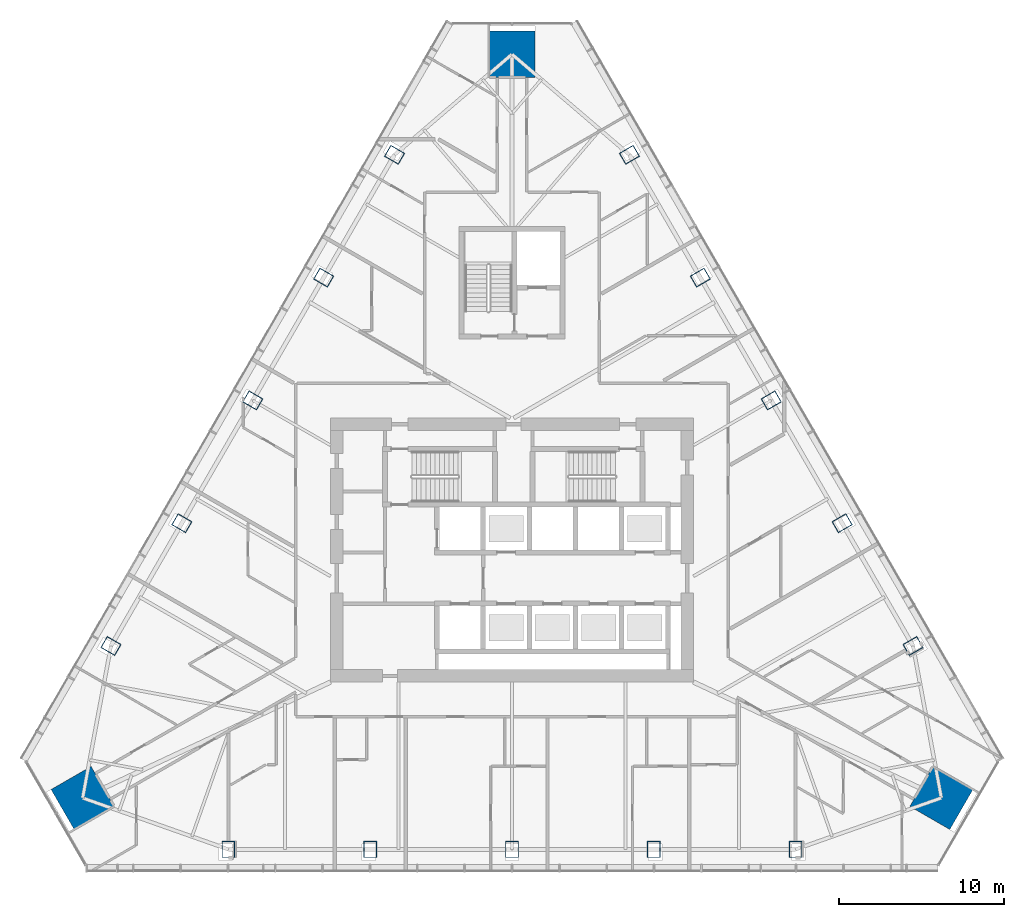
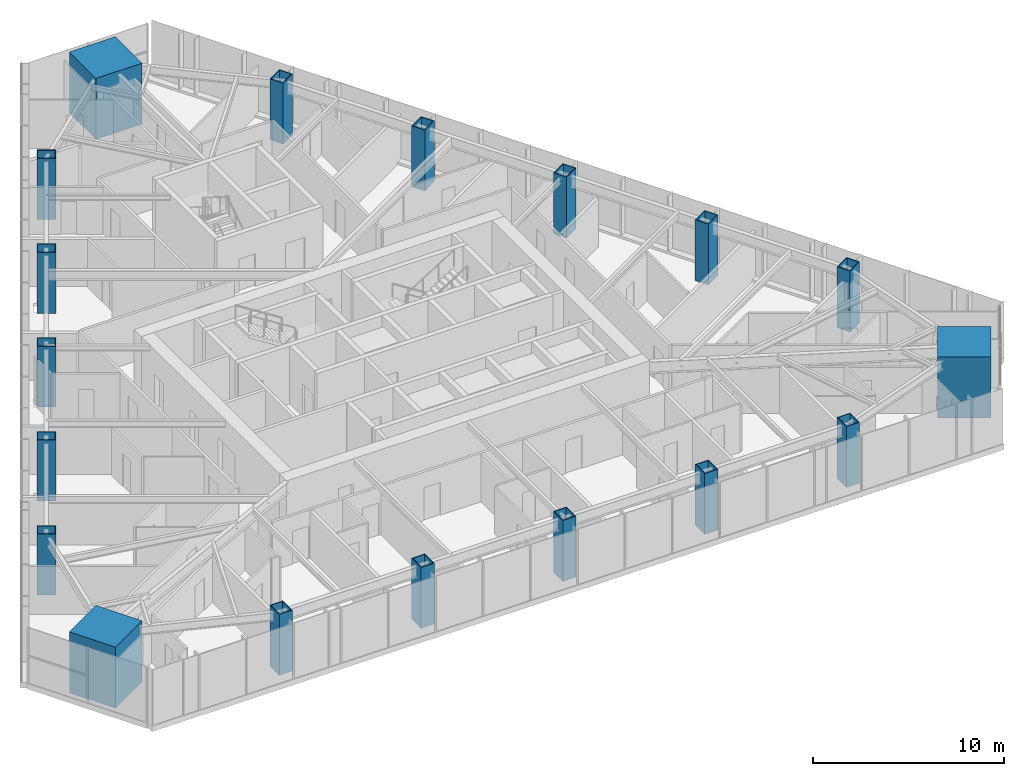
# One storey, part 1 of 16: 18 columns.
"""IFC4 building model written with IfcOpenShell, lengths in metres."""

from ifc_helpers import new_model, si_unit, direction, frame, origin, origin_2d, place, context, subcontext, project, spatial, rectangle, hollow_rectangle, extrude, material, material_profile, profile_set, type_object, element, save


model = new_model("IFC4")

# Units and contexts
model_context = context("Model", 3, precision=1e-05, world=origin(), true_north=direction((0.0, 1.0)))
body_context = subcontext(model_context, "Body", "Model", "MODEL_VIEW")
ifc_project = project(units=[si_unit("LENGTHUNIT", "METRE"), si_unit("AREAUNIT", "SQUARE_METRE"), si_unit("VOLUMEUNIT", "CUBIC_METRE"), si_unit("PLANEANGLEUNIT", "RADIAN"), si_unit("MASSUNIT", "GRAM", prefix="KILO")], contexts=[model_context])

# Site, building, storey
site_placement = place(None, origin())
site = spatial("IfcSite", under=ifc_project, at=site_placement, CompositionType="ELEMENT")
building_placement = place(site_placement, origin())
building = spatial("IfcBuilding", under=site, at=building_placement, Name="Firuza Gate Tower and Library", CompositionType="ELEMENT")
storey_placement = place(building_placement, frame((0.0, 0.0, 198.699951171875)))
storey = spatial("IfcBuildingStorey", under=building, at=storey_placement, Name="L46", CompositionType="ELEMENT", Elevation=198.699951171875)

# Columns
ifc_material_1 = material(Name="Steel S355", Category="steel")
ifc_material_profile_1 = material_profile(ifc_material_1, hollow_rectangle(XDim=0.800048828125, YDim=1.0, WallThickness=0.050048828125, at=origin_2d()))
ifc_profile_set_1 = profile_set([ifc_material_profile_1], Name="Steel S355")
column_type_1 = type_object("IfcColumnType", Name="BU1000x800x50 Composite box column", PredefinedType="COLUMN", material=ifc_profile_set_1)
for number, where, z_axis, x_axis, name in (
    (1, (57.8125, 56.8583984375, -0.000244140625), (0.0, 0.0, 1.0), (1.0, 0.0, 0.0), "Column S1 L46"),
    (2, (66.40625, 56.8583984375, -0.000244140625), (0.0, 0.0, 1.0), (1.0, 0.0, 0.0), "Column S2 L46"),
    (3, (75.0, 56.8583984375, -0.000244140625), (0.0, 0.0, 1.0), (1.0, 0.0, 0.0), "Column S3 L46"),
    (4, (83.59375, 56.8583984375, -0.000244140625), (0.0, 0.0, 1.0), (1.0, 0.0, 0.0), "Column S4 L46"),
    (5, (92.1875, 56.8583984375, -0.000244140625), (0.0, 0.0, 1.0), (1.0, 0.0, 0.0), "Column S5 L46"),
    (6, (99.304931640625, 69.18603515625, -0.000244140625), (0.0, 0.0, 1.0), (-0.5, 0.866025403784, 0.0), "Column E1 L46"),
    (7, (95.008056640625, 76.62841796875, -0.000244140625), (0.0, 0.0, 1.0), (-0.5, 0.866025403784, 0.0), "Column E2 L46"),
    (8, (90.711181640625, 84.07080078125, -0.000244140625), (0.0, 0.0, 1.0), (-0.5, 0.866025403784, 0.0), "Column E3 L46"),
    (9, (86.414306640625, 91.51318359375, -0.000244140625), (0.0, 0.0, 1.0), (-0.5, 0.866025403784, 0.0), "Column E4 L46"),
    (10, (82.117431640625, 98.95556640625, -0.000244140625), (0.0, 0.0, 1.0), (-0.5, 0.866025403784, 0.0), "Column E5 L46"),
    (11, (67.882568359375, 98.95556640625, -0.000244140625), (0.0, 0.0, 1.0), (-0.5, -0.866025403784, 0.0), "Column W1 L46"),
    (12, (63.585693359375, 91.51318359375, -0.000244140625), (0.0, 0.0, 1.0), (-0.5, -0.866025403784, 0.0), "Column W2 L46"),
    (13, (59.288818359375, 84.07080078125, -0.000244140625), (0.0, 0.0, 1.0), (-0.5, -0.866025403784, 0.0), "Column W3 L46"),
    (14, (54.991943359375, 76.62841796875, -0.000244140625), (0.0, 0.0, 1.0), (-0.5, -0.866025403784, 0.0), "Column W4 L46"),
    (15, (50.695068359375, 69.18603515625, -0.000244140625), (0.0, 0.0, 1.0), (-0.5, -0.866025403784, 0.0), "Column W5 L46"),
):
    element("IfcColumn", number, at=place(storey_placement, frame(where, z_axis=z_axis, x_axis=x_axis)), inside=storey, type_object=column_type_1, Name=name, PredefinedType="COLUMN", context=body_context, shape_type="SweptSolid", body=[
        extrude(hollow_rectangle(XDim=0.800048828125, YDim=1.0, WallThickness=0.050048828125, at=origin_2d()), origin(), (0.0, 0.0, 1.0), 3.900390625),
    ])
ifc_material_2 = material(Name="Concrete C80/95", Category="concrete")
ifc_material_profile_2 = material_profile(ifc_material_2, rectangle(XDim=2.800048828125, YDim=2.800048828125, at=origin_2d()))
ifc_profile_set_2 = profile_set([ifc_material_profile_2], Name="Concrete C80/95")
column_type_2 = type_object("IfcColumnType", Name="Mega column 2800x2800 C80/95", PredefinedType="COLUMN", material=ifc_profile_set_2)
for number, where, z_axis, x_axis, name in (
    (16, (101.0224609375, 59.97607421875, 0.0), (0.0, 0.0, 1.0), (0.5, 0.866025403784, 0.0), "Mega column SE L46"),
    (17, (75.0, 105.048095703125, 0.0), (0.0, 0.0, 1.0), (-1.0, 0.0, 0.0), "Mega column N L46"),
    (18, (48.9775390625, 59.97607421875, 0.0), (0.0, 0.0, 1.0), (0.5, -0.866025403784, 0.0), "Mega column SW L46"),
):
    element("IfcColumn", number, at=place(storey_placement, frame(where, z_axis=z_axis, x_axis=x_axis)), inside=storey, type_object=column_type_2, Name=name, PredefinedType="COLUMN", context=body_context, shape_type="SweptSolid", body=[
        extrude(rectangle(XDim=2.800048828125, YDim=2.800048828125, at=origin_2d()), origin(), (0.0, 0.0, 1.0), 3.900146484375),
    ])

save(model, "model.ifc")
